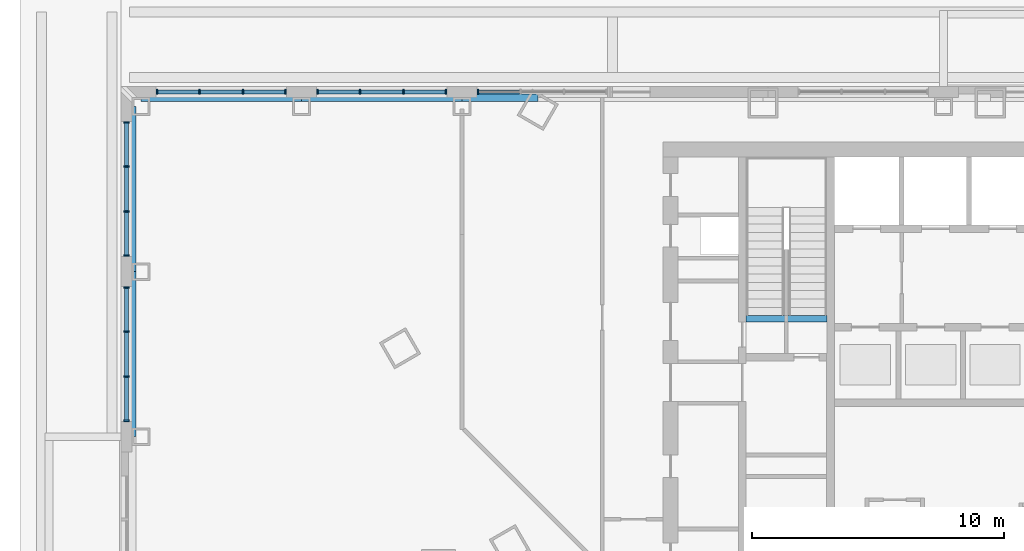
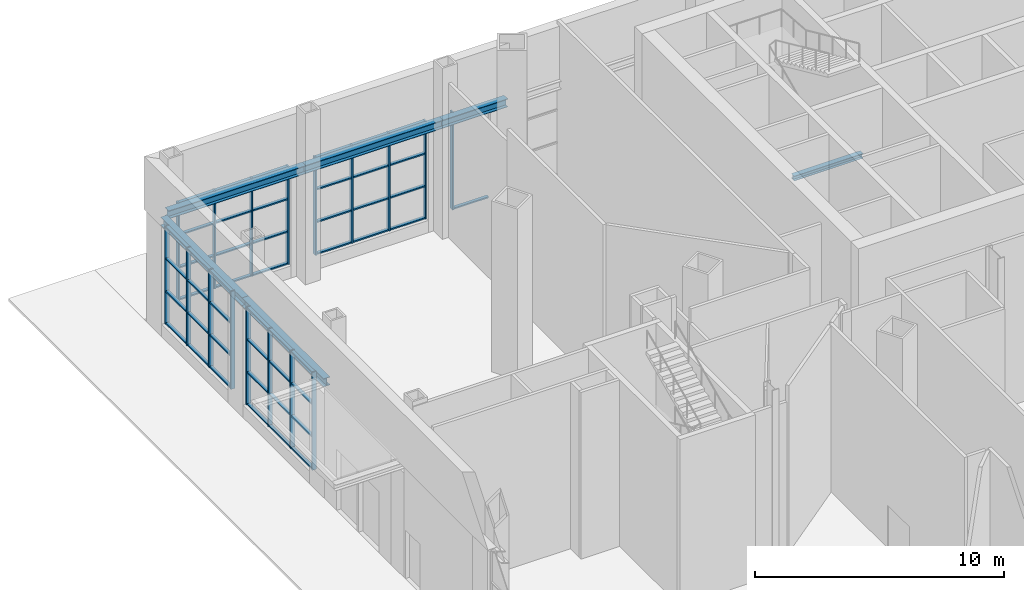
# One storey, part 8 of 34: 66 members, 6 beams, 5 elements without a shape of their own.
"""IFC4 building model written with IfcOpenShell, lengths in metres."""

from ifc_helpers import new_model, si_unit, direction, frame, origin, origin_2d, place, context, subcontext, project, spatial, rectangle, i_section, extrude, material, layer, layer_set, material_profile, profile_set, type_object, element, aggregate, save


model = new_model("IFC4")

# Units and contexts
model_context = context("Model", 3, precision=1e-05, world=origin(), true_north=direction((0.0, 1.0)))
body_context = subcontext(model_context, "Body", "Model", "MODEL_VIEW")
ifc_project = project(units=[si_unit("LENGTHUNIT", "METRE"), si_unit("AREAUNIT", "SQUARE_METRE"), si_unit("VOLUMEUNIT", "CUBIC_METRE"), si_unit("PLANEANGLEUNIT", "RADIAN"), si_unit("MASSUNIT", "GRAM", prefix="KILO")], contexts=[model_context])

# Site, building, storey
site_placement = place(None, origin())
site = spatial("IfcSite", under=ifc_project, at=site_placement, CompositionType="ELEMENT")
building_placement = place(site_placement, origin())
building = spatial("IfcBuilding", under=site, at=building_placement, Name="Njiva Tower", CompositionType="ELEMENT")
storey_placement = place(building_placement, origin())
storey = spatial("IfcBuildingStorey", under=building, at=storey_placement, Name="L00", CompositionType="ELEMENT", Elevation=0.0)

# Beams
ifc_material_1 = material(Name="Steel S355 J2", Category="steel")
ifc_material_profile_1 = material_profile(ifc_material_1, i_section(OverallWidth=0.3, OverallDepth=0.4, WebThickness=0.0135, FlangeThickness=0.024, at=origin_2d()), Name="HEB400")
ifc_profile_set_1 = profile_set([ifc_material_profile_1], Name="Steel S355 J2")
beam_type_1 = type_object("IfcBeamType", Name="B92 Podium lintel beam HEB 400", PredefinedType="BEAM", material=ifc_profile_set_1)
beam_1_placement = place(storey_placement, frame((-22.461, 19.75, 5.2), z_axis=(-1.0, 0.0, 0.0), x_axis=(0.0, -1.0, 0.0)))
element("IfcBeam", 1, at=beam_1_placement, inside=storey, type_object=beam_type_1, Name="Podium lintel beam", PredefinedType="BEAM", context=body_context, shape_type="SweptSolid", body=[
    extrude(i_section(OverallWidth=0.3, OverallDepth=0.4, WebThickness=0.0135, FlangeThickness=0.024, at=origin_2d()), origin(), (0.0, 0.0, 1.0), 3.006),
])
beam_2_placement = place(storey_placement, frame((-25.467, 19.75, 5.2), z_axis=(-1.0, 0.0, 0.0), x_axis=(0.0, -1.0, 0.0)))
element("IfcBeam", 2, at=beam_2_placement, inside=storey, type_object=beam_type_1, Name="Podium lintel beam", PredefinedType="BEAM", context=body_context, shape_type="SweptSolid", body=[
    extrude(i_section(OverallWidth=0.3, OverallDepth=0.4, WebThickness=0.0135, FlangeThickness=0.024, at=origin_2d()), origin(), (0.0, 0.0, 1.0), 6.366),
])
beam_3_placement = place(storey_placement, frame((-31.833, 19.75, 5.2), z_axis=(-1.0, 0.0, 0.0), x_axis=(0.0, -1.0, 0.0)))
element("IfcBeam", 3, at=beam_3_placement, inside=storey, type_object=beam_type_1, Name="Podium lintel beam", PredefinedType="BEAM", context=body_context, shape_type="SweptSolid", body=[
    extrude(i_section(OverallWidth=0.3, OverallDepth=0.4, WebThickness=0.0135, FlangeThickness=0.024, at=origin_2d()), origin(), (0.0, 0.0, 1.0), 6.367),
])
for number, where, z_axis, x_axis, name in (
    (4, (-38.55, 19.4, 5.2), (0.0, -1.0, 0.0), (1.0, 0.0, 0.0), "Podium lintel beam"),
    (5, (-38.55, 12.85, 5.2), (0.0, -1.0, 0.0), (1.0, 0.0, 0.0), "Podium lintel beam"),
):
    element("IfcBeam", number, at=place(storey_placement, frame(where, z_axis=z_axis, x_axis=x_axis)), inside=storey, type_object=beam_type_1, Name=name, PredefinedType="BEAM", context=body_context, shape_type="SweptSolid", body=[
        extrude(i_section(OverallWidth=0.3, OverallDepth=0.4, WebThickness=0.0135, FlangeThickness=0.024, at=origin_2d()), origin(), (0.0, 0.0, 1.0), 6.55),
    ])

# Curtain wall, member
ifc_material_2 = material(Name="Glazed curtain wall", Category="glass")
ifc_layer = layer(ifc_material_2, 0.2)
ifc_layer_set = layer_set([ifc_layer], Name="Glazed curtain wall")
curtain_wall_type = type_object("IfcCurtainWallType", Name="CW1 Shopfront glazing", PredefinedType="NOTDEFINED", material=ifc_layer_set)
curtain_wall_1_placement = place(storey_placement, origin())
curtain_wall_1 = element("IfcCurtainWall", 6, at=curtain_wall_1_placement, inside=storey, type_object=curtain_wall_type, Name="Shopfront N10", PredefinedType="NOTDEFINED")
ifc_material_3 = material(Name="Aluminium mullion", Category="aluminium")
ifc_material_profile_2 = material_profile(ifc_material_3, rectangle(XDim=0.2, YDim=0.065, at=origin_2d()), Name="RECT 200x65")
ifc_profile_set_2 = profile_set([ifc_material_profile_2], Name="Aluminium mullion")
member_type_1 = type_object("IfcMemberType", Name="CW1-M Shopfront mullion 200x65", PredefinedType="MULLION", material=ifc_profile_set_2)
member_1_placement = place(storey_placement, frame((-24.8342, 19.975, 0.6), z_axis=(0.0, 0.0, 1.0), x_axis=(0.0, -1.0, 0.0)))
member_1 = element("IfcMember", 7, at=member_1_placement, type_object=member_type_1, Name="CW1-N10 mullion 4", PredefinedType="MULLION", context=body_context, shape_type="SweptSolid", body=[
    extrude(rectangle(XDim=0.2, YDim=0.065, at=origin_2d()), origin(), (0.0, 0.0, 1.0), 4.8),
])

# Curtain wall, members
curtain_wall_2_placement = place(storey_placement, origin())
curtain_wall_2 = element("IfcCurtainWall", 8, at=curtain_wall_2_placement, inside=storey, type_object=curtain_wall_type, Name="Shopfront N11", PredefinedType="NOTDEFINED")
member_2_placement = place(storey_placement, frame((-26.0992, 19.975, 0.6), z_axis=(0.0, 0.0, 1.0), x_axis=(0.0, -1.0, 0.0)))
member_2 = element("IfcMember", 9, at=member_2_placement, type_object=member_type_1, Name="CW1-N11 mullion 1", PredefinedType="MULLION", context=body_context, shape_type="SweptSolid", body=[
    extrude(rectangle(XDim=0.2, YDim=0.065, at=origin_2d()), origin(), (0.0, 0.0, 1.0), 4.8),
])
member_3_placement = place(storey_placement, frame((-27.7889, 19.975, 0.6), z_axis=(0.0, 0.0, 1.0), x_axis=(0.0, -1.0, 0.0)))
member_3 = element("IfcMember", 10, at=member_3_placement, type_object=member_type_1, Name="CW1-N11 mullion 2", PredefinedType="MULLION", context=body_context, shape_type="SweptSolid", body=[
    extrude(rectangle(XDim=0.2, YDim=0.065, at=origin_2d()), origin(), (0.0, 0.0, 1.0), 4.8),
])
member_4_placement = place(storey_placement, frame((-29.5111, 19.975, 0.6), z_axis=(0.0, 0.0, 1.0), x_axis=(0.0, -1.0, 0.0)))
member_4 = element("IfcMember", 11, at=member_4_placement, type_object=member_type_1, Name="CW1-N11 mullion 3", PredefinedType="MULLION", context=body_context, shape_type="SweptSolid", body=[
    extrude(rectangle(XDim=0.2, YDim=0.065, at=origin_2d()), origin(), (0.0, 0.0, 1.0), 4.8),
])
member_5_placement = place(storey_placement, frame((-31.2008, 19.975, 0.6), z_axis=(0.0, 0.0, 1.0), x_axis=(0.0, -1.0, 0.0)))
member_5 = element("IfcMember", 12, at=member_5_placement, type_object=member_type_1, Name="CW1-N11 mullion 4", PredefinedType="MULLION", context=body_context, shape_type="SweptSolid", body=[
    extrude(rectangle(XDim=0.2, YDim=0.065, at=origin_2d()), origin(), (0.0, 0.0, 1.0), 4.8),
])

curtain_wall_3_placement = place(storey_placement, origin())
curtain_wall_3 = element("IfcCurtainWall", 13, at=curtain_wall_3_placement, inside=storey, type_object=curtain_wall_type, Name="Shopfront N12", PredefinedType="NOTDEFINED")
member_6_placement = place(storey_placement, frame((-32.4658, 19.975, 0.6), z_axis=(0.0, 0.0, 1.0), x_axis=(0.0, -1.0, 0.0)))
member_6 = element("IfcMember", 14, at=member_6_placement, type_object=member_type_1, Name="CW1-N12 mullion 1", PredefinedType="MULLION", context=body_context, shape_type="SweptSolid", body=[
    extrude(rectangle(XDim=0.2, YDim=0.065, at=origin_2d()), origin(), (0.0, 0.0, 1.0), 4.8),
])
member_7_placement = place(storey_placement, frame((-34.1555, 19.975, 0.6), z_axis=(0.0, 0.0, 1.0), x_axis=(0.0, -1.0, 0.0)))
member_7 = element("IfcMember", 15, at=member_7_placement, type_object=member_type_1, Name="CW1-N12 mullion 2", PredefinedType="MULLION", context=body_context, shape_type="SweptSolid", body=[
    extrude(rectangle(XDim=0.2, YDim=0.065, at=origin_2d()), origin(), (0.0, 0.0, 1.0), 4.8),
])
member_8_placement = place(storey_placement, frame((-35.8778, 19.975, 0.6), z_axis=(0.0, 0.0, 1.0), x_axis=(0.0, -1.0, 0.0)))
member_8 = element("IfcMember", 16, at=member_8_placement, type_object=member_type_1, Name="CW1-N12 mullion 3", PredefinedType="MULLION", context=body_context, shape_type="SweptSolid", body=[
    extrude(rectangle(XDim=0.2, YDim=0.065, at=origin_2d()), origin(), (0.0, 0.0, 1.0), 4.8),
])
member_9_placement = place(storey_placement, frame((-37.5675, 19.975, 0.6), z_axis=(0.0, 0.0, 1.0), x_axis=(0.0, -1.0, 0.0)))
member_9 = element("IfcMember", 17, at=member_9_placement, type_object=member_type_1, Name="CW1-N12 mullion 4", PredefinedType="MULLION", context=body_context, shape_type="SweptSolid", body=[
    extrude(rectangle(XDim=0.2, YDim=0.065, at=origin_2d()), origin(), (0.0, 0.0, 1.0), 4.8),
])

curtain_wall_4_placement = place(storey_placement, origin())
curtain_wall_4 = element("IfcCurtainWall", 18, at=curtain_wall_4_placement, inside=storey, type_object=curtain_wall_type, Name="Shopfront W1", PredefinedType="NOTDEFINED")
member_10_placement = place(storey_placement, frame((-38.775, 18.7675, 0.6), z_axis=(0.0, 0.0, 1.0), x_axis=(1.0, 0.0, 0.0)))
member_10 = element("IfcMember", 19, at=member_10_placement, type_object=member_type_1, Name="CW1-W1 mullion 1", PredefinedType="MULLION", context=body_context, shape_type="SweptSolid", body=[
    extrude(rectangle(XDim=0.2, YDim=0.065, at=origin_2d()), origin(), (0.0, 0.0, 1.0), 4.8),
])
member_11_placement = place(storey_placement, frame((-38.775, 17.0167, 0.6), z_axis=(0.0, 0.0, 1.0), x_axis=(1.0, 0.0, 0.0)))
member_11 = element("IfcMember", 20, at=member_11_placement, type_object=member_type_1, Name="CW1-W1 mullion 2", PredefinedType="MULLION", context=body_context, shape_type="SweptSolid", body=[
    extrude(rectangle(XDim=0.2, YDim=0.065, at=origin_2d()), origin(), (0.0, 0.0, 1.0), 4.8),
])
member_12_placement = place(storey_placement, frame((-38.775, 15.2333, 0.6), z_axis=(0.0, 0.0, 1.0), x_axis=(1.0, 0.0, 0.0)))
member_12 = element("IfcMember", 21, at=member_12_placement, type_object=member_type_1, Name="CW1-W1 mullion 3", PredefinedType="MULLION", context=body_context, shape_type="SweptSolid", body=[
    extrude(rectangle(XDim=0.2, YDim=0.065, at=origin_2d()), origin(), (0.0, 0.0, 1.0), 4.8),
])
member_13_placement = place(storey_placement, frame((-38.775, 13.4825, 0.6), z_axis=(0.0, 0.0, 1.0), x_axis=(1.0, 0.0, 0.0)))
member_13 = element("IfcMember", 22, at=member_13_placement, type_object=member_type_1, Name="CW1-W1 mullion 4", PredefinedType="MULLION", context=body_context, shape_type="SweptSolid", body=[
    extrude(rectangle(XDim=0.2, YDim=0.065, at=origin_2d()), origin(), (0.0, 0.0, 1.0), 4.8),
])

curtain_wall_5_placement = place(storey_placement, origin())
curtain_wall_5 = element("IfcCurtainWall", 23, at=curtain_wall_5_placement, inside=storey, type_object=curtain_wall_type, Name="Shopfront W2", PredefinedType="NOTDEFINED")
member_14_placement = place(storey_placement, frame((-38.775, 12.2175, 0.6), z_axis=(0.0, 0.0, 1.0), x_axis=(1.0, 0.0, 0.0)))
member_14 = element("IfcMember", 24, at=member_14_placement, type_object=member_type_1, Name="CW1-W2 mullion 1", PredefinedType="MULLION", context=body_context, shape_type="SweptSolid", body=[
    extrude(rectangle(XDim=0.2, YDim=0.065, at=origin_2d()), origin(), (0.0, 0.0, 1.0), 4.8),
])
member_15_placement = place(storey_placement, frame((-38.775, 10.4667, 0.6), z_axis=(0.0, 0.0, 1.0), x_axis=(1.0, 0.0, 0.0)))
member_15 = element("IfcMember", 25, at=member_15_placement, type_object=member_type_1, Name="CW1-W2 mullion 2", PredefinedType="MULLION", context=body_context, shape_type="SweptSolid", body=[
    extrude(rectangle(XDim=0.2, YDim=0.065, at=origin_2d()), origin(), (0.0, 0.0, 1.0), 4.8),
])
member_16_placement = place(storey_placement, frame((-38.775, 8.6833, 0.6), z_axis=(0.0, 0.0, 1.0), x_axis=(1.0, 0.0, 0.0)))
member_16 = element("IfcMember", 26, at=member_16_placement, type_object=member_type_1, Name="CW1-W2 mullion 3", PredefinedType="MULLION", context=body_context, shape_type="SweptSolid", body=[
    extrude(rectangle(XDim=0.2, YDim=0.065, at=origin_2d()), origin(), (0.0, 0.0, 1.0), 4.8),
])
member_17_placement = place(storey_placement, frame((-38.775, 6.9325, 0.6), z_axis=(0.0, 0.0, 1.0), x_axis=(1.0, 0.0, 0.0)))
member_17 = element("IfcMember", 27, at=member_17_placement, type_object=member_type_1, Name="CW1-W2 mullion 4", PredefinedType="MULLION", context=body_context, shape_type="SweptSolid", body=[
    extrude(rectangle(XDim=0.2, YDim=0.065, at=origin_2d()), origin(), (0.0, 0.0, 1.0), 4.8),
])

# Member
ifc_material_4 = material(Name="Aluminium transom", Category="aluminium")
ifc_material_profile_3 = material_profile(ifc_material_4, rectangle(XDim=0.15, YDim=0.065, at=origin_2d()), Name="RECT 150x65")
ifc_profile_set_3 = profile_set([ifc_material_profile_3], Name="Aluminium transom")
member_type_2 = type_object("IfcMemberType", Name="CW1-T Shopfront transom 150x65", PredefinedType="USERDEFINED", material=ifc_profile_set_3)
member_18_placement = place(storey_placement, frame((-23.177, 19.975, 0.6325), z_axis=(-1.0, 0.0, 0.0), x_axis=(0.0, -1.0, 0.0)))
member_18 = element("IfcMember", 28, at=member_18_placement, type_object=member_type_2, Name="CW1-N10 transom 3.1", ObjectType="TRANSOM", PredefinedType="USERDEFINED", context=body_context, shape_type="SweptSolid", body=[
    extrude(rectangle(XDim=0.15, YDim=0.065, at=origin_2d()), origin(), (0.0, 0.0, 1.0), 1.6247),
])

aggregate(curtain_wall_1, [member_1, member_18])

member_19_placement = place(storey_placement, frame((-26.1317, 19.975, 0.6325), z_axis=(-1.0, 0.0, 0.0), x_axis=(0.0, -1.0, 0.0)))
member_19 = element("IfcMember", 29, at=member_19_placement, type_object=member_type_2, Name="CW1-N11 transom 1.1", ObjectType="TRANSOM", PredefinedType="USERDEFINED", context=body_context, shape_type="SweptSolid", body=[
    extrude(rectangle(XDim=0.15, YDim=0.065, at=origin_2d()), origin(), (0.0, 0.0, 1.0), 1.6247),
])

member_20_placement = place(storey_placement, frame((-26.1317, 19.975, 2.2), z_axis=(-1.0, 0.0, 0.0), x_axis=(0.0, -1.0, 0.0)))
member_20 = element("IfcMember", 30, at=member_20_placement, type_object=member_type_2, Name="CW1-N11 transom 1.2", ObjectType="TRANSOM", PredefinedType="USERDEFINED", context=body_context, shape_type="SweptSolid", body=[
    extrude(rectangle(XDim=0.15, YDim=0.065, at=origin_2d()), origin(), (0.0, 0.0, 1.0), 1.6247),
])

member_21_placement = place(storey_placement, frame((-26.1317, 19.975, 3.8), z_axis=(-1.0, 0.0, 0.0), x_axis=(0.0, -1.0, 0.0)))
member_21 = element("IfcMember", 31, at=member_21_placement, type_object=member_type_2, Name="CW1-N11 transom 1.3", ObjectType="TRANSOM", PredefinedType="USERDEFINED", context=body_context, shape_type="SweptSolid", body=[
    extrude(rectangle(XDim=0.15, YDim=0.065, at=origin_2d()), origin(), (0.0, 0.0, 1.0), 1.6247),
])

member_22_placement = place(storey_placement, frame((-26.1317, 19.975, 5.3675), z_axis=(-1.0, 0.0, 0.0), x_axis=(0.0, -1.0, 0.0)))
member_22 = element("IfcMember", 32, at=member_22_placement, type_object=member_type_2, Name="CW1-N11 transom 1.4", ObjectType="TRANSOM", PredefinedType="USERDEFINED", context=body_context, shape_type="SweptSolid", body=[
    extrude(rectangle(XDim=0.15, YDim=0.065, at=origin_2d()), origin(), (0.0, 0.0, 1.0), 1.6247),
])

member_23_placement = place(storey_placement, frame((-27.8214, 19.975, 0.6325), z_axis=(-1.0, 0.0, 0.0), x_axis=(0.0, -1.0, 0.0)))
member_23 = element("IfcMember", 33, at=member_23_placement, type_object=member_type_2, Name="CW1-N11 transom 2.1", ObjectType="TRANSOM", PredefinedType="USERDEFINED", context=body_context, shape_type="SweptSolid", body=[
    extrude(rectangle(XDim=0.15, YDim=0.065, at=origin_2d()), origin(), (0.0, 0.0, 1.0), 1.6572),
])

member_24_placement = place(storey_placement, frame((-27.8214, 19.975, 2.2), z_axis=(-1.0, 0.0, 0.0), x_axis=(0.0, -1.0, 0.0)))
member_24 = element("IfcMember", 34, at=member_24_placement, type_object=member_type_2, Name="CW1-N11 transom 2.2", ObjectType="TRANSOM", PredefinedType="USERDEFINED", context=body_context, shape_type="SweptSolid", body=[
    extrude(rectangle(XDim=0.15, YDim=0.065, at=origin_2d()), origin(), (0.0, 0.0, 1.0), 1.6572),
])

member_25_placement = place(storey_placement, frame((-27.8214, 19.975, 3.8), z_axis=(-1.0, 0.0, 0.0), x_axis=(0.0, -1.0, 0.0)))
member_25 = element("IfcMember", 35, at=member_25_placement, type_object=member_type_2, Name="CW1-N11 transom 2.3", ObjectType="TRANSOM", PredefinedType="USERDEFINED", context=body_context, shape_type="SweptSolid", body=[
    extrude(rectangle(XDim=0.15, YDim=0.065, at=origin_2d()), origin(), (0.0, 0.0, 1.0), 1.6572),
])

member_26_placement = place(storey_placement, frame((-27.8214, 19.975, 5.3675), z_axis=(-1.0, 0.0, 0.0), x_axis=(0.0, -1.0, 0.0)))
member_26 = element("IfcMember", 36, at=member_26_placement, type_object=member_type_2, Name="CW1-N11 transom 2.4", ObjectType="TRANSOM", PredefinedType="USERDEFINED", context=body_context, shape_type="SweptSolid", body=[
    extrude(rectangle(XDim=0.15, YDim=0.065, at=origin_2d()), origin(), (0.0, 0.0, 1.0), 1.6572),
])

member_27_placement = place(storey_placement, frame((-29.5436, 19.975, 0.6325), z_axis=(-1.0, 0.0, 0.0), x_axis=(0.0, -1.0, 0.0)))
member_27 = element("IfcMember", 37, at=member_27_placement, type_object=member_type_2, Name="CW1-N11 transom 3.1", ObjectType="TRANSOM", PredefinedType="USERDEFINED", context=body_context, shape_type="SweptSolid", body=[
    extrude(rectangle(XDim=0.15, YDim=0.065, at=origin_2d()), origin(), (0.0, 0.0, 1.0), 1.6247),
])

member_28_placement = place(storey_placement, frame((-29.5436, 19.975, 2.2), z_axis=(-1.0, 0.0, 0.0), x_axis=(0.0, -1.0, 0.0)))
member_28 = element("IfcMember", 38, at=member_28_placement, type_object=member_type_2, Name="CW1-N11 transom 3.2", ObjectType="TRANSOM", PredefinedType="USERDEFINED", context=body_context, shape_type="SweptSolid", body=[
    extrude(rectangle(XDim=0.15, YDim=0.065, at=origin_2d()), origin(), (0.0, 0.0, 1.0), 1.6247),
])

member_29_placement = place(storey_placement, frame((-29.5436, 19.975, 3.8), z_axis=(-1.0, 0.0, 0.0), x_axis=(0.0, -1.0, 0.0)))
member_29 = element("IfcMember", 39, at=member_29_placement, type_object=member_type_2, Name="CW1-N11 transom 3.3", ObjectType="TRANSOM", PredefinedType="USERDEFINED", context=body_context, shape_type="SweptSolid", body=[
    extrude(rectangle(XDim=0.15, YDim=0.065, at=origin_2d()), origin(), (0.0, 0.0, 1.0), 1.6247),
])

member_30_placement = place(storey_placement, frame((-29.5436, 19.975, 5.3675), z_axis=(-1.0, 0.0, 0.0), x_axis=(0.0, -1.0, 0.0)))
member_30 = element("IfcMember", 40, at=member_30_placement, type_object=member_type_2, Name="CW1-N11 transom 3.4", ObjectType="TRANSOM", PredefinedType="USERDEFINED", context=body_context, shape_type="SweptSolid", body=[
    extrude(rectangle(XDim=0.15, YDim=0.065, at=origin_2d()), origin(), (0.0, 0.0, 1.0), 1.6247),
])

aggregate(curtain_wall_2, [member_2, member_3, member_4, member_5, member_19, member_20, member_21, member_22, member_23, member_24, member_25, member_26, member_27, member_28, member_29, member_30])

member_31_placement = place(storey_placement, frame((-32.4983, 19.975, 0.6325), z_axis=(-1.0, 0.0, 0.0), x_axis=(0.0, -1.0, 0.0)))
member_31 = element("IfcMember", 41, at=member_31_placement, type_object=member_type_2, Name="CW1-N12 transom 1.1", ObjectType="TRANSOM", PredefinedType="USERDEFINED", context=body_context, shape_type="SweptSolid", body=[
    extrude(rectangle(XDim=0.15, YDim=0.065, at=origin_2d()), origin(), (0.0, 0.0, 1.0), 1.6247),
])

member_32_placement = place(storey_placement, frame((-32.4983, 19.975, 2.2), z_axis=(-1.0, 0.0, 0.0), x_axis=(0.0, -1.0, 0.0)))
member_32 = element("IfcMember", 42, at=member_32_placement, type_object=member_type_2, Name="CW1-N12 transom 1.2", ObjectType="TRANSOM", PredefinedType="USERDEFINED", context=body_context, shape_type="SweptSolid", body=[
    extrude(rectangle(XDim=0.15, YDim=0.065, at=origin_2d()), origin(), (0.0, 0.0, 1.0), 1.6247),
])

member_33_placement = place(storey_placement, frame((-32.4983, 19.975, 3.8), z_axis=(-1.0, 0.0, 0.0), x_axis=(0.0, -1.0, 0.0)))
member_33 = element("IfcMember", 43, at=member_33_placement, type_object=member_type_2, Name="CW1-N12 transom 1.3", ObjectType="TRANSOM", PredefinedType="USERDEFINED", context=body_context, shape_type="SweptSolid", body=[
    extrude(rectangle(XDim=0.15, YDim=0.065, at=origin_2d()), origin(), (0.0, 0.0, 1.0), 1.6247),
])

member_34_placement = place(storey_placement, frame((-32.4983, 19.975, 5.3675), z_axis=(-1.0, 0.0, 0.0), x_axis=(0.0, -1.0, 0.0)))
member_34 = element("IfcMember", 44, at=member_34_placement, type_object=member_type_2, Name="CW1-N12 transom 1.4", ObjectType="TRANSOM", PredefinedType="USERDEFINED", context=body_context, shape_type="SweptSolid", body=[
    extrude(rectangle(XDim=0.15, YDim=0.065, at=origin_2d()), origin(), (0.0, 0.0, 1.0), 1.6247),
])

member_35_placement = place(storey_placement, frame((-34.188, 19.975, 0.6325), z_axis=(-1.0, 0.0, 0.0), x_axis=(0.0, -1.0, 0.0)))
member_35 = element("IfcMember", 45, at=member_35_placement, type_object=member_type_2, Name="CW1-N12 transom 2.1", ObjectType="TRANSOM", PredefinedType="USERDEFINED", context=body_context, shape_type="SweptSolid", body=[
    extrude(rectangle(XDim=0.15, YDim=0.065, at=origin_2d()), origin(), (0.0, 0.0, 1.0), 1.6573),
])

member_36_placement = place(storey_placement, frame((-34.188, 19.975, 2.2), z_axis=(-1.0, 0.0, 0.0), x_axis=(0.0, -1.0, 0.0)))
member_36 = element("IfcMember", 46, at=member_36_placement, type_object=member_type_2, Name="CW1-N12 transom 2.2", ObjectType="TRANSOM", PredefinedType="USERDEFINED", context=body_context, shape_type="SweptSolid", body=[
    extrude(rectangle(XDim=0.15, YDim=0.065, at=origin_2d()), origin(), (0.0, 0.0, 1.0), 1.6573),
])

member_37_placement = place(storey_placement, frame((-34.188, 19.975, 3.8), z_axis=(-1.0, 0.0, 0.0), x_axis=(0.0, -1.0, 0.0)))
member_37 = element("IfcMember", 47, at=member_37_placement, type_object=member_type_2, Name="CW1-N12 transom 2.3", ObjectType="TRANSOM", PredefinedType="USERDEFINED", context=body_context, shape_type="SweptSolid", body=[
    extrude(rectangle(XDim=0.15, YDim=0.065, at=origin_2d()), origin(), (0.0, 0.0, 1.0), 1.6573),
])

member_38_placement = place(storey_placement, frame((-34.188, 19.975, 5.3675), z_axis=(-1.0, 0.0, 0.0), x_axis=(0.0, -1.0, 0.0)))
member_38 = element("IfcMember", 48, at=member_38_placement, type_object=member_type_2, Name="CW1-N12 transom 2.4", ObjectType="TRANSOM", PredefinedType="USERDEFINED", context=body_context, shape_type="SweptSolid", body=[
    extrude(rectangle(XDim=0.15, YDim=0.065, at=origin_2d()), origin(), (0.0, 0.0, 1.0), 1.6573),
])

member_39_placement = place(storey_placement, frame((-35.9103, 19.975, 0.6325), z_axis=(-1.0, 0.0, 0.0), x_axis=(0.0, -1.0, 0.0)))
member_39 = element("IfcMember", 49, at=member_39_placement, type_object=member_type_2, Name="CW1-N12 transom 3.1", ObjectType="TRANSOM", PredefinedType="USERDEFINED", context=body_context, shape_type="SweptSolid", body=[
    extrude(rectangle(XDim=0.15, YDim=0.065, at=origin_2d()), origin(), (0.0, 0.0, 1.0), 1.6247),
])

member_40_placement = place(storey_placement, frame((-35.9103, 19.975, 2.2), z_axis=(-1.0, 0.0, 0.0), x_axis=(0.0, -1.0, 0.0)))
member_40 = element("IfcMember", 50, at=member_40_placement, type_object=member_type_2, Name="CW1-N12 transom 3.2", ObjectType="TRANSOM", PredefinedType="USERDEFINED", context=body_context, shape_type="SweptSolid", body=[
    extrude(rectangle(XDim=0.15, YDim=0.065, at=origin_2d()), origin(), (0.0, 0.0, 1.0), 1.6247),
])

member_41_placement = place(storey_placement, frame((-35.9103, 19.975, 3.8), z_axis=(-1.0, 0.0, 0.0), x_axis=(0.0, -1.0, 0.0)))
member_41 = element("IfcMember", 51, at=member_41_placement, type_object=member_type_2, Name="CW1-N12 transom 3.3", ObjectType="TRANSOM", PredefinedType="USERDEFINED", context=body_context, shape_type="SweptSolid", body=[
    extrude(rectangle(XDim=0.15, YDim=0.065, at=origin_2d()), origin(), (0.0, 0.0, 1.0), 1.6247),
])

member_42_placement = place(storey_placement, frame((-35.9103, 19.975, 5.3675), z_axis=(-1.0, 0.0, 0.0), x_axis=(0.0, -1.0, 0.0)))
member_42 = element("IfcMember", 52, at=member_42_placement, type_object=member_type_2, Name="CW1-N12 transom 3.4", ObjectType="TRANSOM", PredefinedType="USERDEFINED", context=body_context, shape_type="SweptSolid", body=[
    extrude(rectangle(XDim=0.15, YDim=0.065, at=origin_2d()), origin(), (0.0, 0.0, 1.0), 1.6247),
])

aggregate(curtain_wall_3, [member_6, member_7, member_8, member_9, member_31, member_32, member_33, member_34, member_35, member_36, member_37, member_38, member_39, member_40, member_41, member_42])

member_43_placement = place(storey_placement, frame((-38.775, 18.735, 0.6325), z_axis=(0.0, -1.0, 0.0), x_axis=(1.0, 0.0, 0.0)))
member_43 = element("IfcMember", 53, at=member_43_placement, type_object=member_type_2, Name="CW1-W1 transom 1.1", ObjectType="TRANSOM", PredefinedType="USERDEFINED", context=body_context, shape_type="SweptSolid", body=[
    extrude(rectangle(XDim=0.15, YDim=0.065, at=origin_2d()), origin(), (0.0, 0.0, 1.0), 1.6858),
])

member_44_placement = place(storey_placement, frame((-38.775, 18.735, 2.2), z_axis=(0.0, -1.0, 0.0), x_axis=(1.0, 0.0, 0.0)))
member_44 = element("IfcMember", 54, at=member_44_placement, type_object=member_type_2, Name="CW1-W1 transom 1.2", ObjectType="TRANSOM", PredefinedType="USERDEFINED", context=body_context, shape_type="SweptSolid", body=[
    extrude(rectangle(XDim=0.15, YDim=0.065, at=origin_2d()), origin(), (0.0, 0.0, 1.0), 1.6858),
])

member_45_placement = place(storey_placement, frame((-38.775, 18.735, 3.8), z_axis=(0.0, -1.0, 0.0), x_axis=(1.0, 0.0, 0.0)))
member_45 = element("IfcMember", 55, at=member_45_placement, type_object=member_type_2, Name="CW1-W1 transom 1.3", ObjectType="TRANSOM", PredefinedType="USERDEFINED", context=body_context, shape_type="SweptSolid", body=[
    extrude(rectangle(XDim=0.15, YDim=0.065, at=origin_2d()), origin(), (0.0, 0.0, 1.0), 1.6858),
])

member_46_placement = place(storey_placement, frame((-38.775, 18.735, 5.3675), z_axis=(0.0, -1.0, 0.0), x_axis=(1.0, 0.0, 0.0)))
member_46 = element("IfcMember", 56, at=member_46_placement, type_object=member_type_2, Name="CW1-W1 transom 1.4", ObjectType="TRANSOM", PredefinedType="USERDEFINED", context=body_context, shape_type="SweptSolid", body=[
    extrude(rectangle(XDim=0.15, YDim=0.065, at=origin_2d()), origin(), (0.0, 0.0, 1.0), 1.6858),
])

member_47_placement = place(storey_placement, frame((-38.775, 16.9842, 0.6325), z_axis=(0.0, -1.0, 0.0), x_axis=(1.0, 0.0, 0.0)))
member_47 = element("IfcMember", 57, at=member_47_placement, type_object=member_type_2, Name="CW1-W1 transom 2.1", ObjectType="TRANSOM", PredefinedType="USERDEFINED", context=body_context, shape_type="SweptSolid", body=[
    extrude(rectangle(XDim=0.15, YDim=0.065, at=origin_2d()), origin(), (0.0, 0.0, 1.0), 1.7184),
])

member_48_placement = place(storey_placement, frame((-38.775, 16.9842, 2.2), z_axis=(0.0, -1.0, 0.0), x_axis=(1.0, 0.0, 0.0)))
member_48 = element("IfcMember", 58, at=member_48_placement, type_object=member_type_2, Name="CW1-W1 transom 2.2", ObjectType="TRANSOM", PredefinedType="USERDEFINED", context=body_context, shape_type="SweptSolid", body=[
    extrude(rectangle(XDim=0.15, YDim=0.065, at=origin_2d()), origin(), (0.0, 0.0, 1.0), 1.7184),
])

member_49_placement = place(storey_placement, frame((-38.775, 16.9842, 3.8), z_axis=(0.0, -1.0, 0.0), x_axis=(1.0, 0.0, 0.0)))
member_49 = element("IfcMember", 59, at=member_49_placement, type_object=member_type_2, Name="CW1-W1 transom 2.3", ObjectType="TRANSOM", PredefinedType="USERDEFINED", context=body_context, shape_type="SweptSolid", body=[
    extrude(rectangle(XDim=0.15, YDim=0.065, at=origin_2d()), origin(), (0.0, 0.0, 1.0), 1.7184),
])

member_50_placement = place(storey_placement, frame((-38.775, 16.9842, 5.3675), z_axis=(0.0, -1.0, 0.0), x_axis=(1.0, 0.0, 0.0)))
member_50 = element("IfcMember", 60, at=member_50_placement, type_object=member_type_2, Name="CW1-W1 transom 2.4", ObjectType="TRANSOM", PredefinedType="USERDEFINED", context=body_context, shape_type="SweptSolid", body=[
    extrude(rectangle(XDim=0.15, YDim=0.065, at=origin_2d()), origin(), (0.0, 0.0, 1.0), 1.7184),
])

member_51_placement = place(storey_placement, frame((-38.775, 15.2008, 0.6325), z_axis=(0.0, -1.0, 0.0), x_axis=(1.0, 0.0, 0.0)))
member_51 = element("IfcMember", 61, at=member_51_placement, type_object=member_type_2, Name="CW1-W1 transom 3.1", ObjectType="TRANSOM", PredefinedType="USERDEFINED", context=body_context, shape_type="SweptSolid", body=[
    extrude(rectangle(XDim=0.15, YDim=0.065, at=origin_2d()), origin(), (0.0, 0.0, 1.0), 1.6858),
])

member_52_placement = place(storey_placement, frame((-38.775, 15.2008, 2.2), z_axis=(0.0, -1.0, 0.0), x_axis=(1.0, 0.0, 0.0)))
member_52 = element("IfcMember", 62, at=member_52_placement, type_object=member_type_2, Name="CW1-W1 transom 3.2", ObjectType="TRANSOM", PredefinedType="USERDEFINED", context=body_context, shape_type="SweptSolid", body=[
    extrude(rectangle(XDim=0.15, YDim=0.065, at=origin_2d()), origin(), (0.0, 0.0, 1.0), 1.6858),
])

member_53_placement = place(storey_placement, frame((-38.775, 15.2008, 3.8), z_axis=(0.0, -1.0, 0.0), x_axis=(1.0, 0.0, 0.0)))
member_53 = element("IfcMember", 63, at=member_53_placement, type_object=member_type_2, Name="CW1-W1 transom 3.3", ObjectType="TRANSOM", PredefinedType="USERDEFINED", context=body_context, shape_type="SweptSolid", body=[
    extrude(rectangle(XDim=0.15, YDim=0.065, at=origin_2d()), origin(), (0.0, 0.0, 1.0), 1.6858),
])

member_54_placement = place(storey_placement, frame((-38.775, 15.2008, 5.3675), z_axis=(0.0, -1.0, 0.0), x_axis=(1.0, 0.0, 0.0)))
member_54 = element("IfcMember", 64, at=member_54_placement, type_object=member_type_2, Name="CW1-W1 transom 3.4", ObjectType="TRANSOM", PredefinedType="USERDEFINED", context=body_context, shape_type="SweptSolid", body=[
    extrude(rectangle(XDim=0.15, YDim=0.065, at=origin_2d()), origin(), (0.0, 0.0, 1.0), 1.6858),
])

aggregate(curtain_wall_4, [member_10, member_11, member_12, member_13, member_43, member_44, member_45, member_46, member_47, member_48, member_49, member_50, member_51, member_52, member_53, member_54])

member_55_placement = place(storey_placement, frame((-38.775, 12.185, 0.6325), z_axis=(0.0, -1.0, 0.0), x_axis=(1.0, 0.0, 0.0)))
member_55 = element("IfcMember", 65, at=member_55_placement, type_object=member_type_2, Name="CW1-W2 transom 1.1", ObjectType="TRANSOM", PredefinedType="USERDEFINED", context=body_context, shape_type="SweptSolid", body=[
    extrude(rectangle(XDim=0.15, YDim=0.065, at=origin_2d()), origin(), (0.0, 0.0, 1.0), 1.6858),
])

member_56_placement = place(storey_placement, frame((-38.775, 12.185, 2.2), z_axis=(0.0, -1.0, 0.0), x_axis=(1.0, 0.0, 0.0)))
member_56 = element("IfcMember", 66, at=member_56_placement, type_object=member_type_2, Name="CW1-W2 transom 1.2", ObjectType="TRANSOM", PredefinedType="USERDEFINED", context=body_context, shape_type="SweptSolid", body=[
    extrude(rectangle(XDim=0.15, YDim=0.065, at=origin_2d()), origin(), (0.0, 0.0, 1.0), 1.6858),
])

member_57_placement = place(storey_placement, frame((-38.775, 12.185, 3.8), z_axis=(0.0, -1.0, 0.0), x_axis=(1.0, 0.0, 0.0)))
member_57 = element("IfcMember", 67, at=member_57_placement, type_object=member_type_2, Name="CW1-W2 transom 1.3", ObjectType="TRANSOM", PredefinedType="USERDEFINED", context=body_context, shape_type="SweptSolid", body=[
    extrude(rectangle(XDim=0.15, YDim=0.065, at=origin_2d()), origin(), (0.0, 0.0, 1.0), 1.6858),
])

member_58_placement = place(storey_placement, frame((-38.775, 12.185, 5.3675), z_axis=(0.0, -1.0, 0.0), x_axis=(1.0, 0.0, 0.0)))
member_58 = element("IfcMember", 68, at=member_58_placement, type_object=member_type_2, Name="CW1-W2 transom 1.4", ObjectType="TRANSOM", PredefinedType="USERDEFINED", context=body_context, shape_type="SweptSolid", body=[
    extrude(rectangle(XDim=0.15, YDim=0.065, at=origin_2d()), origin(), (0.0, 0.0, 1.0), 1.6858),
])

member_59_placement = place(storey_placement, frame((-38.775, 10.4342, 0.6325), z_axis=(0.0, -1.0, 0.0), x_axis=(1.0, 0.0, 0.0)))
member_59 = element("IfcMember", 69, at=member_59_placement, type_object=member_type_2, Name="CW1-W2 transom 2.1", ObjectType="TRANSOM", PredefinedType="USERDEFINED", context=body_context, shape_type="SweptSolid", body=[
    extrude(rectangle(XDim=0.15, YDim=0.065, at=origin_2d()), origin(), (0.0, 0.0, 1.0), 1.7184),
])

member_60_placement = place(storey_placement, frame((-38.775, 10.4342, 2.2), z_axis=(0.0, -1.0, 0.0), x_axis=(1.0, 0.0, 0.0)))
member_60 = element("IfcMember", 70, at=member_60_placement, type_object=member_type_2, Name="CW1-W2 transom 2.2", ObjectType="TRANSOM", PredefinedType="USERDEFINED", context=body_context, shape_type="SweptSolid", body=[
    extrude(rectangle(XDim=0.15, YDim=0.065, at=origin_2d()), origin(), (0.0, 0.0, 1.0), 1.7184),
])

member_61_placement = place(storey_placement, frame((-38.775, 10.4342, 3.8), z_axis=(0.0, -1.0, 0.0), x_axis=(1.0, 0.0, 0.0)))
member_61 = element("IfcMember", 71, at=member_61_placement, type_object=member_type_2, Name="CW1-W2 transom 2.3", ObjectType="TRANSOM", PredefinedType="USERDEFINED", context=body_context, shape_type="SweptSolid", body=[
    extrude(rectangle(XDim=0.15, YDim=0.065, at=origin_2d()), origin(), (0.0, 0.0, 1.0), 1.7184),
])

member_62_placement = place(storey_placement, frame((-38.775, 10.4342, 5.3675), z_axis=(0.0, -1.0, 0.0), x_axis=(1.0, 0.0, 0.0)))
member_62 = element("IfcMember", 72, at=member_62_placement, type_object=member_type_2, Name="CW1-W2 transom 2.4", ObjectType="TRANSOM", PredefinedType="USERDEFINED", context=body_context, shape_type="SweptSolid", body=[
    extrude(rectangle(XDim=0.15, YDim=0.065, at=origin_2d()), origin(), (0.0, 0.0, 1.0), 1.7184),
])

member_63_placement = place(storey_placement, frame((-38.775, 8.6508, 0.6325), z_axis=(0.0, -1.0, 0.0), x_axis=(1.0, 0.0, 0.0)))
member_63 = element("IfcMember", 73, at=member_63_placement, type_object=member_type_2, Name="CW1-W2 transom 3.1", ObjectType="TRANSOM", PredefinedType="USERDEFINED", context=body_context, shape_type="SweptSolid", body=[
    extrude(rectangle(XDim=0.15, YDim=0.065, at=origin_2d()), origin(), (0.0, 0.0, 1.0), 1.6858),
])

member_64_placement = place(storey_placement, frame((-38.775, 8.6508, 2.2), z_axis=(0.0, -1.0, 0.0), x_axis=(1.0, 0.0, 0.0)))
member_64 = element("IfcMember", 74, at=member_64_placement, type_object=member_type_2, Name="CW1-W2 transom 3.2", ObjectType="TRANSOM", PredefinedType="USERDEFINED", context=body_context, shape_type="SweptSolid", body=[
    extrude(rectangle(XDim=0.15, YDim=0.065, at=origin_2d()), origin(), (0.0, 0.0, 1.0), 1.6858),
])

member_65_placement = place(storey_placement, frame((-38.775, 8.6508, 3.8), z_axis=(0.0, -1.0, 0.0), x_axis=(1.0, 0.0, 0.0)))
member_65 = element("IfcMember", 75, at=member_65_placement, type_object=member_type_2, Name="CW1-W2 transom 3.3", ObjectType="TRANSOM", PredefinedType="USERDEFINED", context=body_context, shape_type="SweptSolid", body=[
    extrude(rectangle(XDim=0.15, YDim=0.065, at=origin_2d()), origin(), (0.0, 0.0, 1.0), 1.6858),
])

member_66_placement = place(storey_placement, frame((-38.775, 8.6508, 5.3675), z_axis=(0.0, -1.0, 0.0), x_axis=(1.0, 0.0, 0.0)))
member_66 = element("IfcMember", 76, at=member_66_placement, type_object=member_type_2, Name="CW1-W2 transom 3.4", ObjectType="TRANSOM", PredefinedType="USERDEFINED", context=body_context, shape_type="SweptSolid", body=[
    extrude(rectangle(XDim=0.15, YDim=0.065, at=origin_2d()), origin(), (0.0, 0.0, 1.0), 1.6858),
])

aggregate(curtain_wall_5, [member_14, member_15, member_16, member_17, member_55, member_56, member_57, member_58, member_59, member_60, member_61, member_62, member_63, member_64, member_65, member_66])

# Beam
ifc_material_profile_4 = material_profile(ifc_material_1, i_section(OverallWidth=0.24, OverallDepth=0.23, WebThickness=0.0075, FlangeThickness=0.012, at=origin_2d()), Name="HEA240")
ifc_profile_set_4 = profile_set([ifc_material_profile_4], Name="Steel S355 J2")
beam_type_2 = type_object("IfcBeamType", Name="FL8 Landing beam HEA 240", PredefinedType="BEAM", material=ifc_profile_set_4)
beam_4_placement = place(storey_placement, frame((-14.206, 10.98, 3.885), z_axis=(1.0, 0.0, 0.0), x_axis=(0.0, 1.0, 0.0)))
element("IfcBeam", 77, at=beam_4_placement, inside=storey, type_object=beam_type_2, Name="Landing beam", PredefinedType="BEAM", context=body_context, shape_type="SweptSolid", body=[
    extrude(i_section(OverallWidth=0.24, OverallDepth=0.23, WebThickness=0.0075, FlangeThickness=0.012, at=origin_2d()), origin(), (0.0, 0.0, 1.0), 3.212),
])

save(model, "model.ifc")
